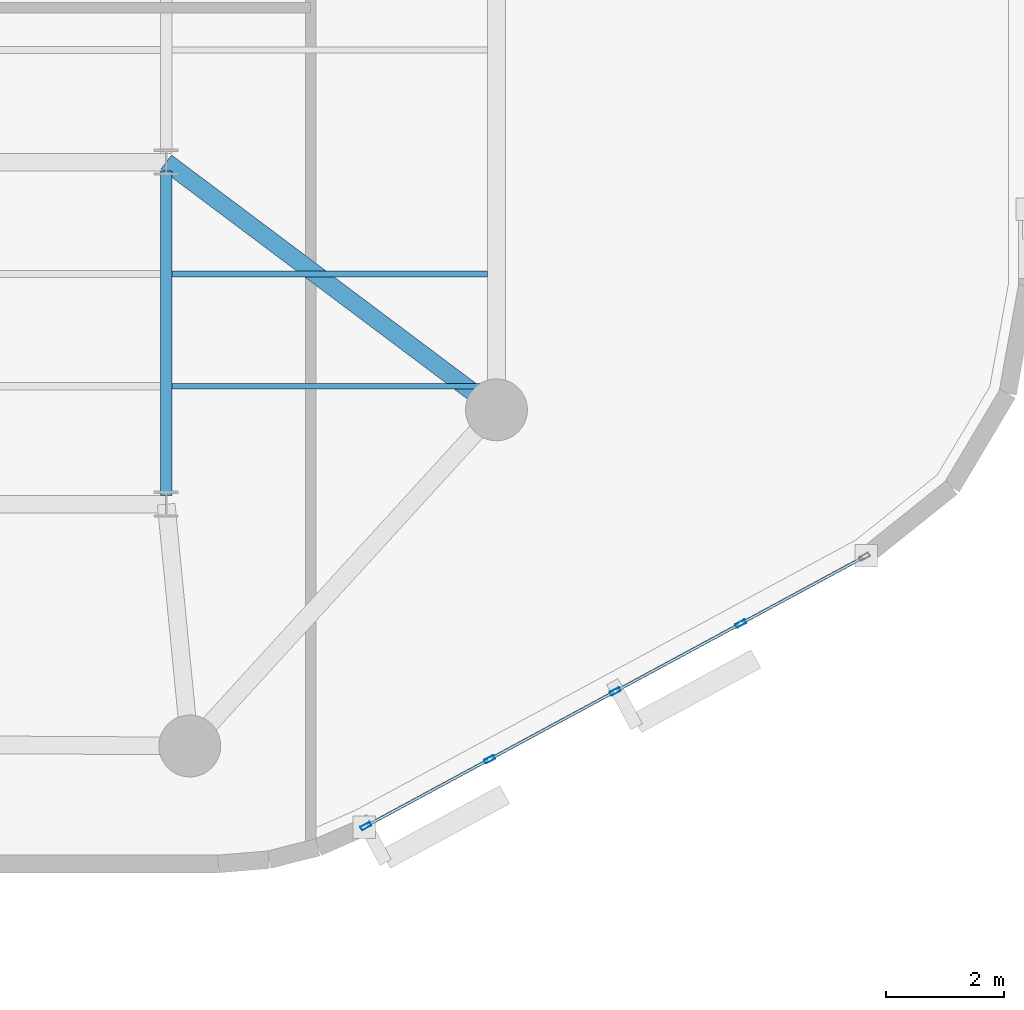
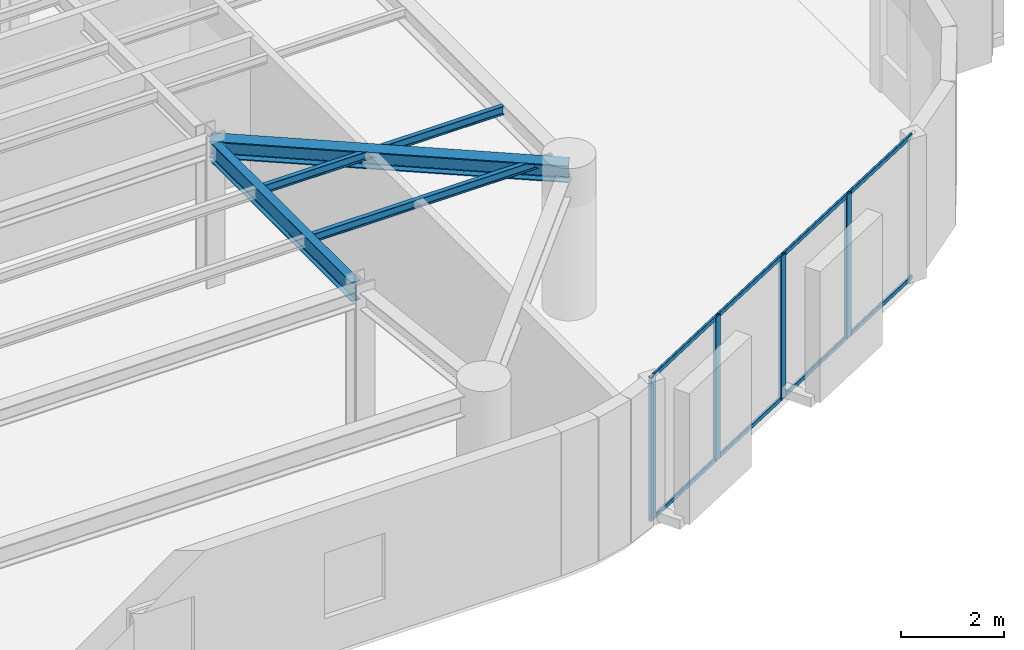
# One storey, part 2 of 14: 12 members, 4 beams, 1 element without a shape of its own.
"""IFC4 building model written with IfcOpenShell, lengths in metres."""

from ifc_helpers import new_model, si_unit, direction, frame, origin, origin_2d, place, context, subcontext, project, spatial, hollow_rectangle, i_section, extrude, material, layer, layer_set, material_profile, profile_set, type_object, element, aggregate, save


model = new_model("IFC4")

# Units and contexts
model_context = context("Model", 3, precision=1e-05, world=origin(), true_north=direction((0.0, 1.0)))
body_context = subcontext(model_context, "Body", "Model", "MODEL_VIEW")
ifc_project = project(units=[si_unit("LENGTHUNIT", "METRE"), si_unit("AREAUNIT", "SQUARE_METRE"), si_unit("VOLUMEUNIT", "CUBIC_METRE"), si_unit("PLANEANGLEUNIT", "RADIAN"), si_unit("MASSUNIT", "GRAM", prefix="KILO")], contexts=[model_context])

# Site, building, storey
site_placement = place(None, origin())
site = spatial("IfcSite", under=ifc_project, at=site_placement, CompositionType="ELEMENT")
building_placement = place(site_placement, origin())
building = spatial("IfcBuilding", under=site, at=building_placement, Name="An Khanh Terracotta Commons", CompositionType="ELEMENT")
storey_placement = place(building_placement, frame((0.0, 0.0, 240.89990234375)))
storey = spatial("IfcBuildingStorey", under=building, at=storey_placement, Name="L63", CompositionType="ELEMENT", Elevation=240.89990234375)

# Beams
ifc_material_1 = material(Name="Steel S355J2", Category="steel")
ifc_material_profile_1 = material_profile(ifc_material_1, i_section(OverallWidth=0.300048828125, OverallDepth=0.39990234375, WebThickness=0.013427734375, FlangeThickness=0.02392578125, FilletRadius=0.027099609375, at=origin_2d()), Name="HEB400")
ifc_profile_set_1 = profile_set([ifc_material_profile_1], Name="Steel S355J2")
beam_type_1 = type_object("IfcBeamType", Name="BM-HEB400", PredefinedType="BEAM", material=ifc_profile_set_1)
beam_1_placement = place(storey_placement, frame((59.60009765625, 16.0, 3.2001953125), z_axis=(-0.800008370399, 0.599988839305, 0.0), x_axis=(-0.599988839305, -0.800008370399, 0.0)))
element("IfcBeam", 1, at=beam_1_placement, inside=storey, type_object=beam_type_1, Name="L63 Mega-Column Tie Girder 3", PredefinedType="BEAM", context=body_context, shape_type="SweptSolid", body=[
    extrude(i_section(OverallWidth=0.300048828125, OverallDepth=0.39990234375, WebThickness=0.013427734375, FlangeThickness=0.02392578125, FilletRadius=0.027099609375, at=origin_2d()), origin(), (0.0, 0.0, 1.0), 7.0),
])
ifc_material_profile_2 = material_profile(ifc_material_1, i_section(OverallWidth=0.10009765625, OverallDepth=0.199951171875, WebThickness=0.005615234375, FlangeThickness=0.008544921875, FilletRadius=0.011962890625, at=origin_2d()), Name="IPE200")
ifc_profile_set_2 = profile_set([ifc_material_profile_2], Name="Steel S355J2")
beam_type_2 = type_object("IfcBeamType", Name="BM-IPE200", PredefinedType="JOIST", material=ifc_profile_set_2)
for number, where, z_axis, x_axis, name in (
    (2, (54.094970703125, 16.39990234375, 3.300048828125), (1.0, 0.0, 0.0), (0.0, 1.0, 0.0), "L63 Riverfront Composite Joist 1"),
    (3, (54.094970703125, 18.300048828125, 3.300048828125), (1.0, 0.0, 0.0), (0.0, 1.0, 0.0), "L63 Riverfront Composite Joist 2"),
):
    element("IfcBeam", number, at=place(storey_placement, frame(where, z_axis=z_axis, x_axis=x_axis)), inside=storey, type_object=beam_type_2, Name=name, PredefinedType="JOIST", context=body_context, shape_type="SweptSolid", body=[
        extrude(i_section(OverallWidth=0.10009765625, OverallDepth=0.199951171875, WebThickness=0.005615234375, FlangeThickness=0.008544921875, FilletRadius=0.011962890625, at=origin_2d()), origin(), (0.0, 0.0, 1.0), 5.35498046875),
    ])
ifc_material_profile_3 = material_profile(ifc_material_1, i_section(OverallWidth=0.18994140625, OverallDepth=0.449951171875, WebThickness=0.009521484375, FlangeThickness=0.0146484375, FilletRadius=0.02099609375, at=origin_2d()), Name="IPE450")
ifc_profile_set_3 = profile_set([ifc_material_profile_3], Name="Steel S355J2")
beam_type_3 = type_object("IfcBeamType", Name="BM-IPE450", PredefinedType="JOIST", material=ifc_profile_set_3)
beam_2_placement = place(storey_placement, frame((54.0, 14.550048828125, 3.175048828125), z_axis=(0.0, 1.0, 0.0), x_axis=(-1.0, 0.0, 0.0)))
element("IfcBeam", 4, at=beam_2_placement, inside=storey, type_object=beam_type_3, Name="L63 East Spine Girder 1", PredefinedType="JOIST", context=body_context, shape_type="SweptSolid", body=[
    extrude(i_section(OverallWidth=0.18994140625, OverallDepth=0.449951171875, WebThickness=0.009521484375, FlangeThickness=0.0146484375, FilletRadius=0.02099609375, at=origin_2d()), origin(), (0.0, 0.0, 1.0), 5.5),
])

# Curtain wall, members
ifc_material_2 = material(Name="Anodised Aluminium 6063-T6", Category="aluminium")
ifc_layer = layer(ifc_material_2, 0.2099609375, Name="Anodised Aluminium 6063-T6")
ifc_layer_set = layer_set([ifc_layer], Name="Anodised Aluminium 6063-T6")
curtain_wall_type = type_object("IfcCurtainWallType", Name="CW-SYS-03", PredefinedType="USERDEFINED", material=ifc_layer_set)
curtain_wall_placement = place(storey_placement, origin())
curtain_wall = element("IfcCurtainWall", 5, at=curtain_wall_placement, inside=storey, type_object=curtain_wall_type, Name="L63 CW-03 Unitised Curtain Wall CW-L63-08", ObjectType="UNITISED CURTAIN WALL", PredefinedType="USERDEFINED")
ifc_material_profile_4 = material_profile(ifc_material_2, hollow_rectangle(XDim=0.070068359375, YDim=0.179931640625, WallThickness=0.00390625, InnerFilletRadius=0.00390625, OuterFilletRadius=0.008056640625, at=origin_2d()), Name="RHS180x70x4")
ifc_profile_set_4 = profile_set([ifc_material_profile_4], Name="Anodised Aluminium 6063-T6")
member_type_1 = type_object("IfcMemberType", Name="CWM-RHS180x70x4", PredefinedType="MULLION", material=ifc_profile_set_4)
member_1_placement = place(storey_placement, frame((57.3876953125, 8.941650390625, 0.0), z_axis=(0.0, 0.0, 1.0), x_axis=(-0.47538088298, 0.879780095306, 0.0)))
member_1 = element("IfcMember", 6, at=member_1_placement, type_object=member_type_1, Name="CW-03 mullion 1", PredefinedType="MULLION", context=body_context, shape_type="SweptSolid", body=[
    extrude(hollow_rectangle(XDim=0.070068359375, YDim=0.179931640625, WallThickness=0.00390625, InnerFilletRadius=0.00390625, OuterFilletRadius=0.008056640625, at=origin_2d()), origin(), (0.0, 0.0, 1.0), 3.400146484375),
])
member_2_placement = place(storey_placement, frame((59.48583984375, 10.0751953125, 0.0), z_axis=(0.0, 0.0, 1.0), x_axis=(-0.47538088298, 0.879780095306, 0.0)))
member_2 = element("IfcMember", 7, at=member_2_placement, type_object=member_type_1, Name="CW-03 mullion 2", PredefinedType="MULLION", context=body_context, shape_type="SweptSolid", body=[
    extrude(hollow_rectangle(XDim=0.070068359375, YDim=0.179931640625, WallThickness=0.00390625, InnerFilletRadius=0.00390625, OuterFilletRadius=0.008056640625, at=origin_2d()), origin(), (0.0, 0.0, 1.0), 3.400146484375),
])
member_3_placement = place(storey_placement, frame((61.614501953125, 11.2255859375, 0.0), z_axis=(0.0, 0.0, 1.0), x_axis=(-0.47538088298, 0.879780095306, 0.0)))
member_3 = element("IfcMember", 8, at=member_3_placement, type_object=member_type_1, Name="CW-03 mullion 3", PredefinedType="MULLION", context=body_context, shape_type="SweptSolid", body=[
    extrude(hollow_rectangle(XDim=0.070068359375, YDim=0.179931640625, WallThickness=0.00390625, InnerFilletRadius=0.00390625, OuterFilletRadius=0.008056640625, at=origin_2d()), origin(), (0.0, 0.0, 1.0), 3.400146484375),
])
member_4_placement = place(storey_placement, frame((63.7431640625, 12.375732421875, 0.0), z_axis=(0.0, 0.0, 1.0), x_axis=(-0.47538088298, 0.879780095306, 0.0)))
member_4 = element("IfcMember", 9, at=member_4_placement, type_object=member_type_1, Name="CW-03 mullion 4", PredefinedType="MULLION", context=body_context, shape_type="SweptSolid", body=[
    extrude(hollow_rectangle(XDim=0.070068359375, YDim=0.179931640625, WallThickness=0.00390625, InnerFilletRadius=0.00390625, OuterFilletRadius=0.008056640625, at=origin_2d()), origin(), (0.0, 0.0, 1.0), 3.400146484375),
])
ifc_material_profile_5 = material_profile(ifc_material_2, hollow_rectangle(XDim=0.050048828125, YDim=0.10009765625, WallThickness=0.003173828125, InnerFilletRadius=0.003173828125, OuterFilletRadius=0.00634765625, at=origin_2d()), Name="RHS100x50x3.2")
ifc_profile_set_5 = profile_set([ifc_material_profile_5], Name="Anodised Aluminium 6063-T6")
member_type_2 = type_object("IfcMemberType", Name="CWT-RHS100x50x3.2", PredefinedType="USERDEFINED", material=ifc_profile_set_5)
member_5_placement = place(storey_placement, frame((57.418701171875, 8.958251953125, 0.025146484375), z_axis=(0.879779245677, 0.475382455373, 0.0), x_axis=(-0.475382455373, 0.879779245677, 0.0)))
member_5 = element("IfcMember", 10, at=member_5_placement, type_object=member_type_2, Name="CW-03 transom 1.1", ObjectType="TRANSOM", PredefinedType="USERDEFINED", context=body_context, shape_type="SweptSolid", body=[
    extrude(hollow_rectangle(XDim=0.050048828125, YDim=0.10009765625, WallThickness=0.003173828125, InnerFilletRadius=0.003173828125, OuterFilletRadius=0.00634765625, at=origin_2d()), origin(), (0.0, 0.0, 1.0), 2.314697265625),
])
member_6_placement = place(storey_placement, frame((57.418701171875, 8.958251953125, 3.375), z_axis=(0.879779245677, 0.475382455373, 0.0), x_axis=(-0.475382455373, 0.879779245677, 0.0)))
member_6 = element("IfcMember", 11, at=member_6_placement, type_object=member_type_2, Name="CW-03 transom 1.2", ObjectType="TRANSOM", PredefinedType="USERDEFINED", context=body_context, shape_type="SweptSolid", body=[
    extrude(hollow_rectangle(XDim=0.050048828125, YDim=0.10009765625, WallThickness=0.003173828125, InnerFilletRadius=0.003173828125, OuterFilletRadius=0.00634765625, at=origin_2d()), origin(), (0.0, 0.0, 1.0), 2.314697265625),
])
member_7_placement = place(storey_placement, frame((59.5166015625, 10.091796875, 0.025146484375), z_axis=(0.879782861449, 0.475375763686, 0.0), x_axis=(-0.475375763686, 0.879782861449, 0.0)))
member_7 = element("IfcMember", 12, at=member_7_placement, type_object=member_type_2, Name="CW-03 transom 2.1", ObjectType="TRANSOM", PredefinedType="USERDEFINED", context=body_context, shape_type="SweptSolid", body=[
    extrude(hollow_rectangle(XDim=0.050048828125, YDim=0.10009765625, WallThickness=0.003173828125, InnerFilletRadius=0.003173828125, OuterFilletRadius=0.00634765625, at=origin_2d()), origin(), (0.0, 0.0, 1.0), 2.349609375),
])
member_8_placement = place(storey_placement, frame((59.5166015625, 10.091796875, 3.375), z_axis=(0.879782861449, 0.475375763686, 0.0), x_axis=(-0.475375763686, 0.879782861449, 0.0)))
member_8 = element("IfcMember", 13, at=member_8_placement, type_object=member_type_2, Name="CW-03 transom 2.2", ObjectType="TRANSOM", PredefinedType="USERDEFINED", context=body_context, shape_type="SweptSolid", body=[
    extrude(hollow_rectangle(XDim=0.050048828125, YDim=0.10009765625, WallThickness=0.003173828125, InnerFilletRadius=0.003173828125, OuterFilletRadius=0.00634765625, at=origin_2d()), origin(), (0.0, 0.0, 1.0), 2.349609375),
])
member_9_placement = place(storey_placement, frame((61.645263671875, 11.2421875, 0.025146484375), z_axis=(0.879782861449, 0.475375763686, 0.0), x_axis=(-0.475375763686, 0.879782861449, 0.0)))
member_9 = element("IfcMember", 14, at=member_9_placement, type_object=member_type_2, Name="CW-03 transom 3.1", ObjectType="TRANSOM", PredefinedType="USERDEFINED", context=body_context, shape_type="SweptSolid", body=[
    extrude(hollow_rectangle(XDim=0.050048828125, YDim=0.10009765625, WallThickness=0.003173828125, InnerFilletRadius=0.003173828125, OuterFilletRadius=0.00634765625, at=origin_2d()), origin(), (0.0, 0.0, 1.0), 2.349609375),
])
member_10_placement = place(storey_placement, frame((61.645263671875, 11.2421875, 3.375), z_axis=(0.879782861449, 0.475375763686, 0.0), x_axis=(-0.475375763686, 0.879782861449, 0.0)))
member_10 = element("IfcMember", 15, at=member_10_placement, type_object=member_type_2, Name="CW-03 transom 3.2", ObjectType="TRANSOM", PredefinedType="USERDEFINED", context=body_context, shape_type="SweptSolid", body=[
    extrude(hollow_rectangle(XDim=0.050048828125, YDim=0.10009765625, WallThickness=0.003173828125, InnerFilletRadius=0.003173828125, OuterFilletRadius=0.00634765625, at=origin_2d()), origin(), (0.0, 0.0, 1.0), 2.349609375),
])
member_11_placement = place(storey_placement, frame((63.77392578125, 12.392333984375, 0.025146484375), z_axis=(0.879779245677, 0.475382455373, 0.0), x_axis=(-0.475382455373, 0.879779245677, 0.0)))
member_11 = element("IfcMember", 16, at=member_11_placement, type_object=member_type_2, Name="CW-03 transom 4.1", ObjectType="TRANSOM", PredefinedType="USERDEFINED", context=body_context, shape_type="SweptSolid", body=[
    extrude(hollow_rectangle(XDim=0.050048828125, YDim=0.10009765625, WallThickness=0.003173828125, InnerFilletRadius=0.003173828125, OuterFilletRadius=0.00634765625, at=origin_2d()), origin(), (0.0, 0.0, 1.0), 2.314697265625),
])
member_12_placement = place(storey_placement, frame((63.77392578125, 12.392333984375, 3.375), z_axis=(0.879779245677, 0.475382455373, 0.0), x_axis=(-0.475382455373, 0.879779245677, 0.0)))
member_12 = element("IfcMember", 17, at=member_12_placement, type_object=member_type_2, Name="CW-03 transom 4.2", ObjectType="TRANSOM", PredefinedType="USERDEFINED", context=body_context, shape_type="SweptSolid", body=[
    extrude(hollow_rectangle(XDim=0.050048828125, YDim=0.10009765625, WallThickness=0.003173828125, InnerFilletRadius=0.003173828125, OuterFilletRadius=0.00634765625, at=origin_2d()), origin(), (0.0, 0.0, 1.0), 2.314697265625),
])
aggregate(curtain_wall, [member_1, member_2, member_3, member_4, member_5, member_6, member_7, member_8, member_9, member_10, member_11, member_12])

save(model, "model.ifc")
